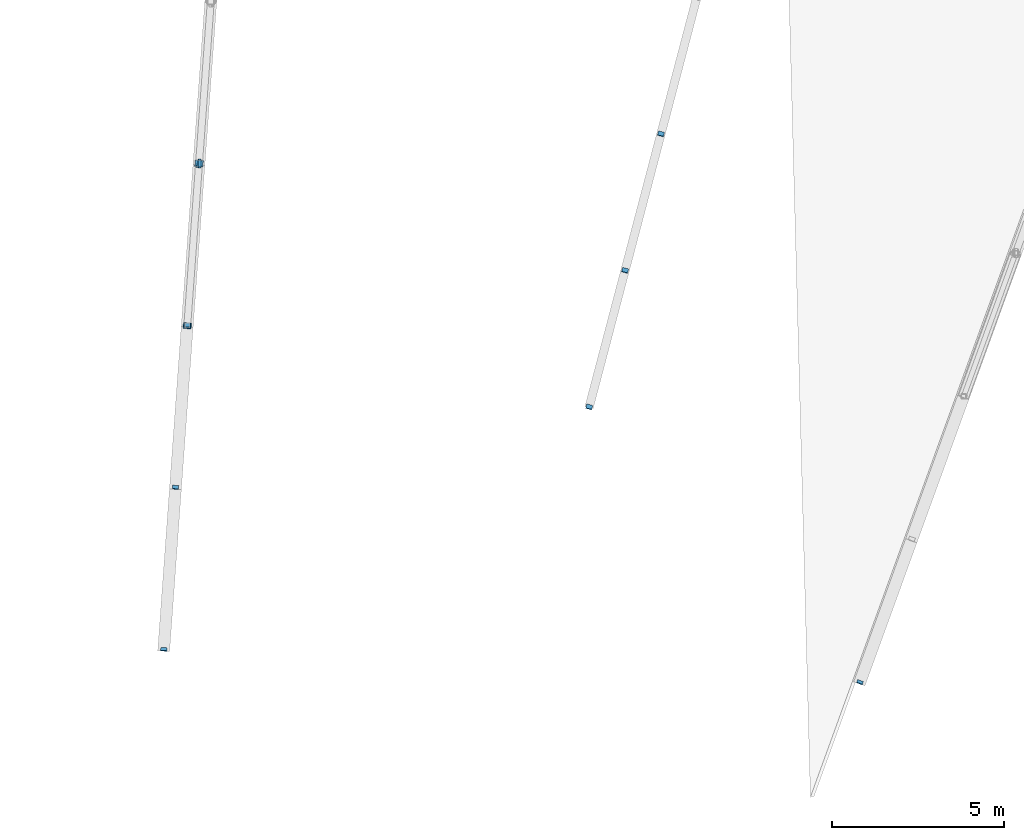
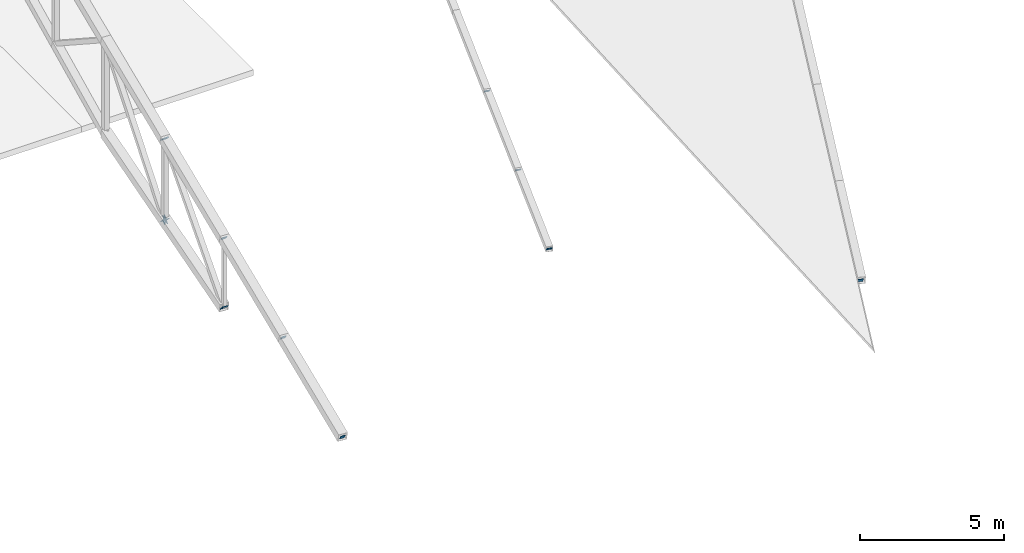
# One storey, part 166 of 188: 12 discrete accessories.
"""IFC4 building model written with IfcOpenShell, lengths in metres."""

from ifc_helpers import new_model, si_unit, direction, frame, origin, origin_2d, place, context, subcontext, project, spatial, rectangle, extrude, material, material_profile, profile_set, type_object, element, save


model = new_model("IFC4")

# Units and contexts
model_context = context("Model", 3, precision=1e-05, world=origin(), true_north=direction((0.0, 1.0)))
body_context = subcontext(model_context, "Body", "Model", "MODEL_VIEW")
ifc_project = project(units=[si_unit("LENGTHUNIT", "METRE"), si_unit("AREAUNIT", "SQUARE_METRE"), si_unit("VOLUMEUNIT", "CUBIC_METRE"), si_unit("PLANEANGLEUNIT", "RADIAN"), si_unit("MASSUNIT", "GRAM", prefix="KILO")], contexts=[model_context])

# Site, building, storey
site_placement = place(None, origin())
site = spatial("IfcSite", under=ifc_project, at=site_placement, CompositionType="ELEMENT")
building_placement = place(site_placement, origin())
building = spatial("IfcBuilding", under=site, at=building_placement, Name="Meseta Stadium", CompositionType="ELEMENT")
storey_placement = place(building_placement, frame((0.0, 0.0, 30.0)))
storey = spatial("IfcBuildingStorey", under=building, at=storey_placement, Name="ROOF", CompositionType="ELEMENT", Elevation=30.0)

# Discrete accessories
ifc_material_1 = material(Name="Steel S355", Category="steel")
ifc_material_profile_1 = material_profile(ifc_material_1, rectangle(XDim=0.179931640625, YDim=0.179931640625, at=origin_2d()), Name="PL 180x180")
ifc_profile_set_1 = profile_set([ifc_material_profile_1], Name="Steel S355")
discrete_accessory_type_1 = type_object("IfcDiscreteAccessoryType", Name="End plate 180x180x20", PredefinedType="ANCHORPLATE", material=ifc_profile_set_1)
for number, where, z_axis, x_axis, name in (
    (1, (25.390380859375, 69.7392578125, 1.493896484375), (0.303840508578, 0.826446183332, 0.473991193382), (-0.938578553396, 0.345065644631, 0.0), "End plate of ROOF TRUSS RT-16 diagonal"),
    (2, (17.51953125, 77.74658203125, 0.7265625), (0.196278391379, 0.71150916875, 0.674706970367), (-0.963992618206, 0.265928998126, 0.0), "End plate of ROOF TRUSS RT-17 diagonal"),
):
    element("IfcDiscreteAccessory", number, at=place(storey_placement, frame(where, z_axis=z_axis, x_axis=x_axis)), inside=storey, type_object=discrete_accessory_type_1, Name=name, PredefinedType="ANCHORPLATE", context=body_context, shape_type="SweptSolid", body=[
        extrude(rectangle(XDim=0.179931640625, YDim=0.179931640625, at=origin_2d()), origin(), (0.0, 0.0, 1.0), 0.02001953125),
    ])
discrete_accessory_1_placement = place(storey_placement, frame((18.56298828125, 81.716552734375, 1.30029296875), z_axis=(0.184441720091, 0.713174651018, 0.676286307), x_axis=(-0.968146911612, 0.250382821969, 0.0)))
element("IfcDiscreteAccessory", 3, at=discrete_accessory_1_placement, inside=storey, type_object=discrete_accessory_type_1, Name="End plate of ROOF TRUSS RT-17 diagonal", PredefinedType="ANCHORPLATE", context=body_context, shape_type="SweptSolid", body=[
    extrude(rectangle(XDim=0.179931640625, YDim=0.179931640625, at=origin_2d()), origin(), (0.0, 0.0, 1.0), 0.019775390625),
])
for number, where, z_axis, x_axis, name in (
    (4, (19.606201171875, 85.686279296875, 1.8740234375), (0.194572921316, 0.717487647354, 0.668844417025), (-0.96514032777, 0.261732970243, 0.0), "End plate of ROOF TRUSS RT-17 diagonal"),
    (5, (5.14990234375, 70.6943359375, 1.3544921875), (0.061240305661, 0.869612340392, 0.489922445291), (-0.997529518435, 0.070248557636, 0.0), "End plate of ROOF TRUSS RT-18 diagonal"),
    (6, (5.49169921875, 75.4072265625, 2.594482421875), (0.060790554368, 0.826751539405, 0.559273100186), (-0.99730762529, 0.073331443036, 0.0), "End plate of ROOF TRUSS RT-18 diagonal"),
    (7, (5.83349609375, 80.120361328125, 3.834716796875), (0.048718939683, 0.791682769845, 0.608986746035), (-0.998111869923, 0.061422268918, 0.0), "End plate of ROOF TRUSS RT-18 diagonal"),
):
    element("IfcDiscreteAccessory", number, at=place(storey_placement, frame(where, z_axis=z_axis, x_axis=x_axis)), inside=storey, type_object=discrete_accessory_type_1, Name=name, PredefinedType="ANCHORPLATE", context=body_context, shape_type="SweptSolid", body=[
        extrude(rectangle(XDim=0.179931640625, YDim=0.179931640625, at=origin_2d()), origin(), (0.0, 0.0, 1.0), 0.02001953125),
    ])
ifc_material_2 = material(Name="Steel S355", Category="steel")
ifc_material_profile_2 = material_profile(ifc_material_2, rectangle(XDim=0.239990234375, YDim=0.239990234375, at=origin_2d()), Name="PL 240x240")
ifc_profile_set_2 = profile_set([ifc_material_profile_2], Name="Steel S355")
discrete_accessory_type_2 = type_object("IfcDiscreteAccessoryType", Name="End plate 240x240x20", PredefinedType="ANCHORPLATE", material=ifc_profile_set_2)
for number, where, z_axis, x_axis, name in (
    (8, (5.832275390625, 80.10546875, 0.898681640625), (0.061258687864, 0.747355991938, 0.661593828928), (-0.996657521232, 0.081693239445, 0.0), "End plate of ROOF TRUSS RT-18 diagonal"),
    (9, (6.17529296875, 84.83349609375, 5.07470703125), (0.049040086732, 0.747861322669, 0.662041170887), (-0.99785694905, 0.065433242561, 0.0), "End plate of ROOF TRUSS RT-18 diagonal"),
    (10, (6.174072265625, 84.819091796875, 1.63037109375), (0.060835534437, 0.717859306352, 0.693525092577), (-0.996428304897, 0.084443076686, 0.0), "End plate of ROOF TRUSS RT-18 diagonal"),
):
    element("IfcDiscreteAccessory", number, at=place(storey_placement, frame(where, z_axis=z_axis, x_axis=x_axis)), inside=storey, type_object=discrete_accessory_type_2, Name=name, PredefinedType="ANCHORPLATE", context=body_context, shape_type="SweptSolid", body=[
        extrude(rectangle(XDim=0.239990234375, YDim=0.239990234375, at=origin_2d()), origin(), (0.0, 0.0, 1.0), 0.02001953125),
    ])
ifc_material_3 = material(Name="Steel S355", Category="steel")
ifc_material_profile_3 = material_profile(ifc_material_3, rectangle(XDim=0.260009765625, YDim=0.260009765625, at=origin_2d()), Name="PL 260x260")
ifc_profile_set_3 = profile_set([ifc_material_profile_3], Name="Steel S355")
discrete_accessory_type_3 = type_object("IfcDiscreteAccessoryType", Name="End plate 260x260x20", PredefinedType="ANCHORPLATE", material=ifc_profile_set_3)
discrete_accessory_2_placement = place(storey_placement, frame((6.17529296875, 84.83349609375, 1.644287109375), z_axis=(-0.935552425423, 0.230850598481, 0.267300692978), x_axis=(-0.239567708184, -0.970879659482, 0.0)))
element("IfcDiscreteAccessory", 11, at=discrete_accessory_2_placement, inside=storey, type_object=discrete_accessory_type_3, Name="End plate of ROOF TRUSS STRUT RT-17/18", PredefinedType="ANCHORPLATE", context=body_context, shape_type="SweptSolid", body=[
    extrude(rectangle(XDim=0.260009765625, YDim=0.260009765625, at=origin_2d()), origin(), (0.0, 0.0, 1.0), 0.02001953125),
])
discrete_accessory_3_placement = place(storey_placement, frame((6.194580078125, 84.83349609375, 1.649169921875), z_axis=(-0.969416374533, 0.0, -0.24542186697), x_axis=(0.0, -1.0, 0.0)))
element("IfcDiscreteAccessory", 12, at=discrete_accessory_3_placement, inside=storey, type_object=discrete_accessory_type_3, Name="End plate of ROOF TRUSS STRUT RT-18/19", PredefinedType="ANCHORPLATE", context=body_context, shape_type="SweptSolid", body=[
    extrude(rectangle(XDim=0.260009765625, YDim=0.260009765625, at=origin_2d()), origin(), (0.0, 0.0, 1.0), 0.019775390625),
])

save(model, "model.ifc")
